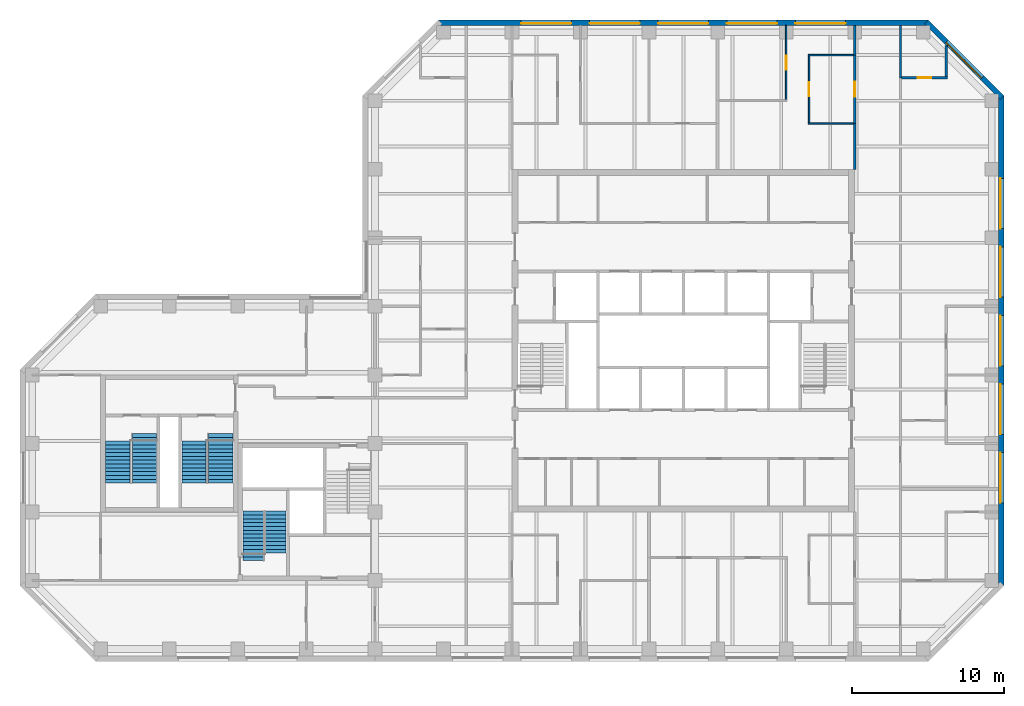
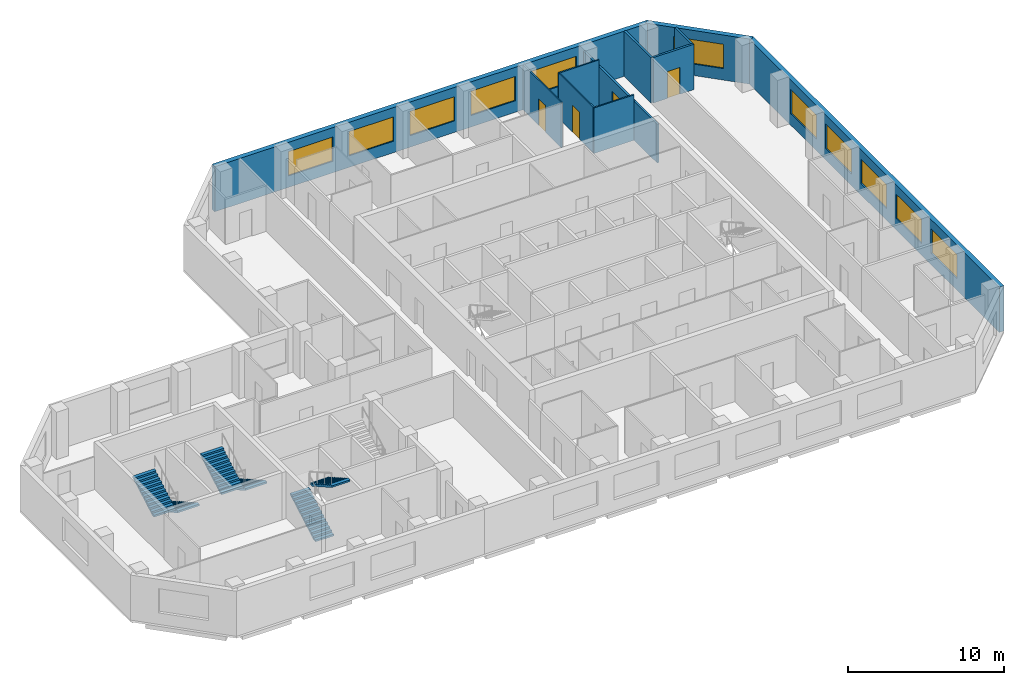
# One storey, part 8 of 10: 13 walls, 11 windows, 6 stair flights, 4 doors, 15 openings, 3 elements without a shape of their own.
"""IFC4 building model written with IfcOpenShell, lengths in metres."""

from ifc_helpers import new_model, si_unit, direction, frame, frame_2d, origin, place, context, subcontext, project, spatial, polyline, rectangle, outline, extrude, material, layer, layer_set, constituent, constituent_set, type_object, element, fill, aggregate, save


model = new_model("IFC4")

# Units and contexts
model_context = context("Model", 3, precision=1e-05, world=origin(), true_north=direction((0.0, 1.0)))
body_context = subcontext(model_context, "Body", "Model", "MODEL_VIEW")
ifc_project = project(units=[si_unit("LENGTHUNIT", "METRE"), si_unit("AREAUNIT", "SQUARE_METRE"), si_unit("VOLUMEUNIT", "CUBIC_METRE"), si_unit("PLANEANGLEUNIT", "RADIAN"), si_unit("MASSUNIT", "GRAM", prefix="KILO")], contexts=[model_context])

# Site, building, storey
site_placement = place(None, origin())
site = spatial("IfcSite", under=ifc_project, at=site_placement, CompositionType="ELEMENT")
building_placement = place(site_placement, origin())
building = spatial("IfcBuilding", under=site, at=building_placement, Name="Quoin Convention Tower", CompositionType="ELEMENT")
storey_placement = place(building_placement, frame((0.0, 0.0, 192.10009765625)))
storey = spatial("IfcBuildingStorey", under=building, at=storey_placement, Name="L50", CompositionType="ELEMENT", Elevation=192.10009765625)

# Wall, openings, windows
ifc_material_1 = material(Name="Brick masonry", Category="masonry")
ifc_layer_1 = layer(ifc_material_1, 0.35009765625)
ifc_layer_set_1 = layer_set([ifc_layer_1], Name="Brick masonry")
wall_type_1 = type_object("IfcWallType", Name="Brick facade wall", PredefinedType="STANDARD", material=ifc_layer_set_1)
wall_1_placement = place(storey_placement, frame((77.125, 44.668701171875, 0.0), z_axis=(0.0, 0.0, 1.0), x_axis=(0.0, 1.0, 0.0)))
wall_1 = element("IfcWall", 1, at=wall_1_placement, inside=storey, type_object=wall_type_1, Name="fw-L50-76500_45000", PredefinedType="STANDARD", context=body_context, shape_type="SweptSolid", body=[
    extrude(rectangle(XDim=32.16259765625, YDim=0.35009765625, at=frame_2d((16.081298828125, 0.0))), origin(), (0.0, 0.0, 1.0), 3.52490234375),
])
opening_1_placement = place(wall_1_placement, frame((5.431396484375, 0.0, 0.89990234375)))
opening_1 = element("IfcOpeningElement", 2, at=opening_1_placement, cuts=wall_1, Name="Opening W-02", PredefinedType="OPENING", context=body_context, shape_type="SweptSolid", body=[
    extrude(rectangle(XDim=3.300048828125, YDim=1.89990234375, at=frame_2d((1.64990234375, 0.949951171875))), frame((0.0, 0.18505859375, 0.0), z_axis=(0.0, -1.0, 0.0), x_axis=(1.0, 0.0, 0.0)), (0.0, 0.0, 1.0), 0.3701171875),
])
opening_2_placement = place(wall_1_placement, frame((9.931396484375, 0.0, 0.89990234375)))
opening_2 = element("IfcOpeningElement", 3, at=opening_2_placement, cuts=wall_1, Name="Opening W-02", PredefinedType="OPENING", context=body_context, shape_type="SweptSolid", body=[
    extrude(rectangle(XDim=3.300048828125, YDim=1.89990234375, at=frame_2d((1.64990234375, 0.949951171875))), frame((0.0, 0.18505859375, 0.0), z_axis=(0.0, -1.0, 0.0), x_axis=(1.0, 0.0, 0.0)), (0.0, 0.0, 1.0), 0.3701171875),
])
opening_3_placement = place(wall_1_placement, frame((14.431396484375, 0.0, 0.89990234375)))
opening_3 = element("IfcOpeningElement", 4, at=opening_3_placement, cuts=wall_1, Name="Opening W-02", PredefinedType="OPENING", context=body_context, shape_type="SweptSolid", body=[
    extrude(rectangle(XDim=3.300048828125, YDim=1.89990234375, at=frame_2d((1.64990234375, 0.949951171875))), frame((0.0, 0.18505859375, 0.0), z_axis=(0.0, -1.0, 0.0), x_axis=(1.0, 0.0, 0.0)), (0.0, 0.0, 1.0), 0.3701171875),
])
opening_4_placement = place(wall_1_placement, frame((18.931396484375, 0.0, 0.89990234375)))
opening_4 = element("IfcOpeningElement", 5, at=opening_4_placement, cuts=wall_1, Name="Opening W-02", PredefinedType="OPENING", context=body_context, shape_type="SweptSolid", body=[
    extrude(rectangle(XDim=3.300048828125, YDim=1.89990234375, at=frame_2d((1.64990234375, 0.949951171875))), frame((0.0, 0.18505859375, 0.0), z_axis=(0.0, -1.0, 0.0), x_axis=(1.0, 0.0, 0.0)), (0.0, 0.0, 1.0), 0.3701171875),
])
opening_5_placement = place(wall_1_placement, frame((23.431396484375, 0.0, 0.89990234375)))
opening_5 = element("IfcOpeningElement", 6, at=opening_5_placement, cuts=wall_1, Name="Opening W-02", PredefinedType="OPENING", context=body_context, shape_type="SweptSolid", body=[
    extrude(rectangle(XDim=3.300048828125, YDim=1.89990234375, at=frame_2d((1.64990234375, 0.949951171875))), frame((0.0, 0.18505859375, 0.0), z_axis=(0.0, -1.0, 0.0), x_axis=(1.0, 0.0, 0.0)), (0.0, 0.0, 1.0), 0.3701171875),
])
ifc_material_2 = material(Name="Aluminium", Category="aluminium")
ifc_constituent_1 = constituent(ifc_material_2, Name="Frame")
ifc_material_3 = material(Name="Insulated glass", Category="glass")
ifc_constituent_2 = constituent(ifc_material_3, Name="Glazing")
ifc_constituent_set = constituent_set(constituents=[ifc_constituent_1, ifc_constituent_2], Name="Aluminium")
window_type = type_object("IfcWindowType", Name="Office window", PartitioningType="DOUBLE_PANEL_VERTICAL", PredefinedType="WINDOW", material=ifc_constituent_set)
window_1_placement = place(opening_1_placement, origin())
window_1 = element("IfcWindow", 7, at=window_1_placement, inside=storey, type_object=window_type, Name="win-L50-77125_51750", OverallHeight=1.89990234375, OverallWidth=3.300048828125, PartitioningType="SINGLE_PANEL", PredefinedType="WINDOW", context=body_context, shape_type="SweptSolid", body=[
    extrude(rectangle(XDim=3.300048828125, YDim=1.89990234375, at=frame_2d((1.64990234375, 0.949951171875))), frame((0.0, 0.0849609375, 0.0), z_axis=(0.0, -1.0, 0.0), x_axis=(1.0, 0.0, 0.0)), (0.0, 0.0, 1.0), 0.06005859375),
])
fill(opening_1, window_1)
window_2_placement = place(opening_2_placement, origin())
window_2 = element("IfcWindow", 8, at=window_2_placement, inside=storey, type_object=window_type, Name="win-L50-77125_56250", OverallHeight=1.89990234375, OverallWidth=3.300048828125, PartitioningType="SINGLE_PANEL", PredefinedType="WINDOW", context=body_context, shape_type="SweptSolid", body=[
    extrude(rectangle(XDim=3.300048828125, YDim=1.89990234375, at=frame_2d((1.64990234375, 0.949951171875))), frame((0.0, 0.0849609375, 0.0), z_axis=(0.0, -1.0, 0.0), x_axis=(1.0, 0.0, 0.0)), (0.0, 0.0, 1.0), 0.06005859375),
])
fill(opening_2, window_2)
window_3_placement = place(opening_3_placement, origin())
window_3 = element("IfcWindow", 9, at=window_3_placement, inside=storey, type_object=window_type, Name="win-L50-77125_60750", OverallHeight=1.89990234375, OverallWidth=3.300048828125, PartitioningType="SINGLE_PANEL", PredefinedType="WINDOW", context=body_context, shape_type="SweptSolid", body=[
    extrude(rectangle(XDim=3.300048828125, YDim=1.89990234375, at=frame_2d((1.64990234375, 0.949951171875))), frame((0.0, 0.0849609375, 0.0), z_axis=(0.0, -1.0, 0.0), x_axis=(1.0, 0.0, 0.0)), (0.0, 0.0, 1.0), 0.06005859375),
])
fill(opening_3, window_3)
window_4_placement = place(opening_4_placement, origin())
window_4 = element("IfcWindow", 10, at=window_4_placement, inside=storey, type_object=window_type, Name="win-L50-77125_65250", OverallHeight=1.89990234375, OverallWidth=3.300048828125, PartitioningType="SINGLE_PANEL", PredefinedType="WINDOW", context=body_context, shape_type="SweptSolid", body=[
    extrude(rectangle(XDim=3.300048828125, YDim=1.89990234375, at=frame_2d((1.64990234375, 0.949951171875))), frame((0.0, 0.0849609375, 0.0), z_axis=(0.0, -1.0, 0.0), x_axis=(1.0, 0.0, 0.0)), (0.0, 0.0, 1.0), 0.06005859375),
])
fill(opening_4, window_4)
window_5_placement = place(opening_5_placement, origin())
window_5 = element("IfcWindow", 11, at=window_5_placement, inside=storey, type_object=window_type, Name="win-L50-77125_69750", OverallHeight=1.89990234375, OverallWidth=3.300048828125, PartitioningType="SINGLE_PANEL", PredefinedType="WINDOW", context=body_context, shape_type="SweptSolid", body=[
    extrude(rectangle(XDim=3.300048828125, YDim=1.89990234375, at=frame_2d((1.64990234375, 0.949951171875))), frame((0.0, 0.0849609375, 0.0), z_axis=(0.0, -1.0, 0.0), x_axis=(1.0, 0.0, 0.0)), (0.0, 0.0, 1.0), 0.06005859375),
])
fill(opening_5, window_5)

# Wall, opening, window
wall_2_placement = place(storey_placement, frame((77.17626953125, 76.70751953125, 0.0), z_axis=(0.0, 0.0, 1.0), x_axis=(-0.707106781187, 0.707106781187, 0.0)))
wall_2 = element("IfcWall", 12, at=wall_2_placement, inside=storey, type_object=wall_type_1, Name="fw-L50-76500_76500", PredefinedType="STANDARD", context=body_context, shape_type="SweptSolid", body=[
    extrude(rectangle(XDim=7.02685546875, YDim=0.35009765625, at=frame_2d((3.513427734375, 0.0))), origin(), (0.0, 0.0, 1.0), 3.52490234375),
])
opening_6_placement = place(wall_2_placement, frame((1.86328125, 0.0, 0.89990234375)))
opening_6 = element("IfcOpeningElement", 13, at=opening_6_placement, cuts=wall_2, Name="Opening W-02", PredefinedType="OPENING", context=body_context, shape_type="SweptSolid", body=[
    extrude(rectangle(XDim=3.300048828125, YDim=1.89990234375, at=frame_2d((1.64990234375, 0.949951171875))), frame((0.0, 0.18505859375, 0.0), z_axis=(0.0, -1.0, 0.0), x_axis=(1.0, 0.0, 0.0)), (0.0, 0.0, 1.0), 0.3701171875),
])
window_6_placement = place(opening_6_placement, origin())
window_6 = element("IfcWindow", 14, at=window_6_placement, inside=storey, type_object=window_type, Name="win-L50-74692_79192", OverallHeight=1.89990234375, OverallWidth=3.300048828125, PartitioningType="SINGLE_PANEL", PredefinedType="WINDOW", context=body_context, shape_type="SweptSolid", body=[
    extrude(rectangle(XDim=3.300048828125, YDim=1.89990234375, at=frame_2d((1.64990234375, 0.949951171875))), frame((0.0, 0.0849609375, 0.0), z_axis=(0.0, -1.0, 0.0), x_axis=(1.0, 0.0, 0.0)), (0.0, 0.0, 1.0), 0.06005859375),
])
fill(opening_6, window_6)

# Wall, openings, windows
wall_3_placement = place(storey_placement, frame((72.331298828125, 81.625, 0.0), z_axis=(0.0, 0.0, 1.0), x_axis=(-1.0, 0.0, 0.0)))
wall_3 = element("IfcWall", 15, at=wall_3_placement, inside=storey, type_object=wall_type_1, Name="fw-L50-72000_81000", PredefinedType="STANDARD", context=body_context, shape_type="SweptSolid", body=[
    extrude(rectangle(XDim=32.16259765625, YDim=0.35009765625, at=frame_2d((16.081298828125, 0.0))), origin(), (0.0, 0.0, 1.0), 3.52490234375),
])
opening_7_placement = place(wall_3_placement, frame((5.431396484375, 0.0, 0.89990234375)))
opening_7 = element("IfcOpeningElement", 16, at=opening_7_placement, cuts=wall_3, Name="Opening W-02", PredefinedType="OPENING", context=body_context, shape_type="SweptSolid", body=[
    extrude(rectangle(XDim=3.300048828125, YDim=1.89990234375, at=frame_2d((1.64990234375, 0.949951171875))), frame((0.0, 0.18505859375, 0.0), z_axis=(0.0, -1.0, 0.0), x_axis=(1.0, 0.0, 0.0)), (0.0, 0.0, 1.0), 0.3701171875),
])
opening_8_placement = place(wall_3_placement, frame((9.931396484375, 0.0, 0.89990234375)))
opening_8 = element("IfcOpeningElement", 17, at=opening_8_placement, cuts=wall_3, Name="Opening W-02", PredefinedType="OPENING", context=body_context, shape_type="SweptSolid", body=[
    extrude(rectangle(XDim=3.300048828125, YDim=1.89990234375, at=frame_2d((1.64990234375, 0.949951171875))), frame((0.0, 0.18505859375, 0.0), z_axis=(0.0, -1.0, 0.0), x_axis=(1.0, 0.0, 0.0)), (0.0, 0.0, 1.0), 0.3701171875),
])
opening_9_placement = place(wall_3_placement, frame((14.431396484375, 0.0, 0.89990234375)))
opening_9 = element("IfcOpeningElement", 18, at=opening_9_placement, cuts=wall_3, Name="Opening W-02", PredefinedType="OPENING", context=body_context, shape_type="SweptSolid", body=[
    extrude(rectangle(XDim=3.300048828125, YDim=1.89990234375, at=frame_2d((1.64990234375, 0.949951171875))), frame((0.0, 0.18505859375, 0.0), z_axis=(0.0, -1.0, 0.0), x_axis=(1.0, 0.0, 0.0)), (0.0, 0.0, 1.0), 0.3701171875),
])
opening_10_placement = place(wall_3_placement, frame((18.931396484375, 0.0, 0.89990234375)))
opening_10 = element("IfcOpeningElement", 19, at=opening_10_placement, cuts=wall_3, Name="Opening W-02", PredefinedType="OPENING", context=body_context, shape_type="SweptSolid", body=[
    extrude(rectangle(XDim=3.300048828125, YDim=1.89990234375, at=frame_2d((1.64990234375, 0.949951171875))), frame((0.0, 0.18505859375, 0.0), z_axis=(0.0, -1.0, 0.0), x_axis=(1.0, 0.0, 0.0)), (0.0, 0.0, 1.0), 0.3701171875),
])
opening_11_placement = place(wall_3_placement, frame((23.431396484375, 0.0, 0.89990234375)))
opening_11 = element("IfcOpeningElement", 20, at=opening_11_placement, cuts=wall_3, Name="Opening W-02", PredefinedType="OPENING", context=body_context, shape_type="SweptSolid", body=[
    extrude(rectangle(XDim=3.300048828125, YDim=1.89990234375, at=frame_2d((1.64990234375, 0.949951171875))), frame((0.0, 0.18505859375, 0.0), z_axis=(0.0, -1.0, 0.0), x_axis=(1.0, 0.0, 0.0)), (0.0, 0.0, 1.0), 0.3701171875),
])
window_7_placement = place(opening_7_placement, origin())
window_7 = element("IfcWindow", 21, at=window_7_placement, inside=storey, type_object=window_type, Name="win-L50-65250_81625", OverallHeight=1.89990234375, OverallWidth=3.300048828125, PartitioningType="SINGLE_PANEL", PredefinedType="WINDOW", context=body_context, shape_type="SweptSolid", body=[
    extrude(rectangle(XDim=3.300048828125, YDim=1.89990234375, at=frame_2d((1.64990234375, 0.949951171875))), frame((0.0, 0.0849609375, 0.0), z_axis=(0.0, -1.0, 0.0), x_axis=(1.0, 0.0, 0.0)), (0.0, 0.0, 1.0), 0.06005859375),
])
fill(opening_7, window_7)
window_8_placement = place(opening_8_placement, origin())
window_8 = element("IfcWindow", 22, at=window_8_placement, inside=storey, type_object=window_type, Name="win-L50-60750_81625", OverallHeight=1.89990234375, OverallWidth=3.300048828125, PartitioningType="SINGLE_PANEL", PredefinedType="WINDOW", context=body_context, shape_type="SweptSolid", body=[
    extrude(rectangle(XDim=3.300048828125, YDim=1.89990234375, at=frame_2d((1.64990234375, 0.949951171875))), frame((0.0, 0.0849609375, 0.0), z_axis=(0.0, -1.0, 0.0), x_axis=(1.0, 0.0, 0.0)), (0.0, 0.0, 1.0), 0.06005859375),
])
fill(opening_8, window_8)
window_9_placement = place(opening_9_placement, origin())
window_9 = element("IfcWindow", 23, at=window_9_placement, inside=storey, type_object=window_type, Name="win-L50-56250_81625", OverallHeight=1.89990234375, OverallWidth=3.300048828125, PartitioningType="SINGLE_PANEL", PredefinedType="WINDOW", context=body_context, shape_type="SweptSolid", body=[
    extrude(rectangle(XDim=3.300048828125, YDim=1.89990234375, at=frame_2d((1.64990234375, 0.949951171875))), frame((0.0, 0.0849609375, 0.0), z_axis=(0.0, -1.0, 0.0), x_axis=(1.0, 0.0, 0.0)), (0.0, 0.0, 1.0), 0.06005859375),
])
fill(opening_9, window_9)
window_10_placement = place(opening_10_placement, origin())
window_10 = element("IfcWindow", 24, at=window_10_placement, inside=storey, type_object=window_type, Name="win-L50-51750_81625", OverallHeight=1.89990234375, OverallWidth=3.300048828125, PartitioningType="SINGLE_PANEL", PredefinedType="WINDOW", context=body_context, shape_type="SweptSolid", body=[
    extrude(rectangle(XDim=3.300048828125, YDim=1.89990234375, at=frame_2d((1.64990234375, 0.949951171875))), frame((0.0, 0.0849609375, 0.0), z_axis=(0.0, -1.0, 0.0), x_axis=(1.0, 0.0, 0.0)), (0.0, 0.0, 1.0), 0.06005859375),
])
fill(opening_10, window_10)
window_11_placement = place(opening_11_placement, origin())
window_11 = element("IfcWindow", 25, at=window_11_placement, inside=storey, type_object=window_type, Name="win-L50-47250_81625", OverallHeight=1.89990234375, OverallWidth=3.300048828125, PartitioningType="SINGLE_PANEL", PredefinedType="WINDOW", context=body_context, shape_type="SweptSolid", body=[
    extrude(rectangle(XDim=3.300048828125, YDim=1.89990234375, at=frame_2d((1.64990234375, 0.949951171875))), frame((0.0, 0.0849609375, 0.0), z_axis=(0.0, -1.0, 0.0), x_axis=(1.0, 0.0, 0.0)), (0.0, 0.0, 1.0), 0.06005859375),
])
fill(opening_11, window_11)

# Walls
ifc_material_4 = material(Name="Plasterboard")
ifc_layer_2 = layer(ifc_material_4, 0.012451171875, Name="Finish")
ifc_material_5 = material(Name="Steel stud framing", Category="steel")
ifc_layer_3 = layer(ifc_material_5, 0.125, Name="Structure")
ifc_layer_4 = layer(ifc_material_4, 0.012451171875, Name="Finish")
ifc_layer_set_2 = layer_set([ifc_layer_2, ifc_layer_3, ifc_layer_4], Name="Steel stud framing")
wall_type_2 = type_object("IfcWallType", Name="Corridor wall 150", PredefinedType="PARTITIONING", material=ifc_layer_set_2)
wall_4_placement = place(storey_placement, frame((70.5, 78.0, 0.0), z_axis=(0.0, 0.0, 1.0), x_axis=(0.0, 1.0, 0.0)))
element("IfcWall", 26, at=wall_4_placement, inside=storey, type_object=wall_type_2, Name="pw-L50-090", PredefinedType="PARTITIONING", context=body_context, shape_type="SweptSolid", body=[
    extrude(rectangle(XDim=3.449951171875, YDim=0.14990234375, at=frame_2d((1.72509765625, 0.0))), origin(), (0.0, 0.0, 1.0), 3.5498046875),
])
ifc_layer_5 = layer(ifc_material_4, 0.012451171875, Name="Finish")
ifc_layer_6 = layer(ifc_material_5, 0.125, Name="Structure")
ifc_layer_7 = layer(ifc_material_4, 0.012451171875, Name="Finish")
ifc_layer_set_3 = layer_set([ifc_layer_5, ifc_layer_6, ifc_layer_7], Name="Steel stud framing")
wall_type_3 = type_object("IfcWallType", Name="Corridor wall 150 under beam 528", PredefinedType="PARTITIONING", material=ifc_layer_set_3)
wall_5_placement = place(storey_placement, frame((67.5, 72.0, 0.0), z_axis=(0.0, 0.0, 1.0), x_axis=(0.0, 1.0, 0.0)))
element("IfcWall", 27, at=wall_5_placement, inside=storey, type_object=wall_type_3, Name="pw-L50-079", PredefinedType="PARTITIONING", context=body_context, shape_type="SweptSolid", body=[
    extrude(rectangle(XDim=3.0, YDim=0.14990234375, at=frame_2d((1.5, 0.0))), origin(), (0.0, 0.0, 1.0), 3.02197265625),
])

# Wall, opening, door
wall_6_placement = place(storey_placement, frame((67.5, 75.0, 0.0), z_axis=(0.0, 0.0, 1.0), x_axis=(0.0, 1.0, 0.0)))
wall_6 = element("IfcWall", 28, at=wall_6_placement, inside=storey, type_object=wall_type_3, Name="pw-L50-082", PredefinedType="PARTITIONING", context=body_context, shape_type="SweptSolid", body=[
    extrude(rectangle(XDim=4.5, YDim=0.14990234375, at=frame_2d((2.25, 0.0))), origin(), (0.0, 0.0, 1.0), 3.02197265625),
])
opening_12_placement = place(wall_6_placement, frame((1.75, 0.0, 0.0)))
opening_12 = element("IfcOpeningElement", 29, at=opening_12_placement, cuts=wall_6, Name="Opening DOH7-25", PredefinedType="OPENING", context=body_context, shape_type="SweptSolid", body=[
    extrude(rectangle(XDim=1.0, YDim=2.10009765625, at=frame_2d((0.5, 1.050048828125))), frame((0.0, 0.0849609375, 0.0), z_axis=(0.0, -1.0, 0.0), x_axis=(1.0, 0.0, 0.0)), (0.0, 0.0, 1.0), 0.169921875),
])
ifc_material_6 = material(Name="Steel door leaf", Category="steel")
door_type_1 = type_object("IfcDoorType", Name="Tenancy entrance door 1000 x 2100", OperationType="DOUBLE_DOOR_SINGLE_SWING", PredefinedType="DOOR", material=ifc_material_6)
door_1_placement = place(opening_12_placement, origin())
door_1 = element("IfcDoor", 30, at=door_1_placement, inside=storey, type_object=door_type_1, Name="dr-L50-23", OperationType="DOUBLE_DOOR_SINGLE_SWING", OverallHeight=2.10009765625, OverallWidth=1.0, PredefinedType="DOOR", context=body_context, shape_type="SweptSolid", body=[
    extrude(rectangle(XDim=1.0, YDim=2.10009765625, at=frame_2d((0.5, 1.050048828125))), frame((0.0, 0.02490234375, 0.0), z_axis=(0.0, -1.0, 0.0), x_axis=(1.0, 0.0, 0.0)), (0.0, 0.0, 1.0), 0.050048828125),
])
fill(opening_12, door_1)

# Walls
wall_7_placement = place(storey_placement, frame((67.5, 79.5, 0.0), z_axis=(0.0, 0.0, 1.0), x_axis=(0.0, 1.0, 0.0)))
element("IfcWall", 31, at=wall_7_placement, inside=storey, type_object=wall_type_3, Name="pw-L50-094", PredefinedType="PARTITIONING", context=body_context, shape_type="SweptSolid", body=[
    extrude(rectangle(XDim=1.949951171875, YDim=0.14990234375, at=frame_2d((0.97509765625, 0.0))), origin(), (0.0, 0.0, 1.0), 3.02197265625),
])
ifc_layer_8 = layer(ifc_material_4, 0.012451171875, Name="Finish")
ifc_layer_9 = layer(ifc_material_5, 0.074951171875, Name="Structure")
ifc_layer_10 = layer(ifc_material_4, 0.012451171875, Name="Finish")
ifc_layer_set_4 = layer_set([ifc_layer_8, ifc_layer_9, ifc_layer_10], Name="Steel stud framing")
wall_type_4 = type_object("IfcWallType", Name="Stud partition 100", PredefinedType="PARTITIONING", material=ifc_layer_set_4)
for number, where, z_axis, x_axis, name in (
    (32, (64.449951171875, 75.0, 0.0), (0.0, 0.0, 1.0), (1.0, 0.0, 0.0), "pw-L50-032"),
    (33, (64.449951171875, 79.5, 0.0), (0.0, 0.0, 1.0), (1.0, 0.0, 0.0), "pw-L50-037"),
):
    element("IfcWall", number, at=place(storey_placement, frame(where, z_axis=z_axis, x_axis=x_axis)), inside=storey, type_object=wall_type_4, Name=name, PredefinedType="PARTITIONING", context=body_context, shape_type="SweptSolid", body=[
        extrude(rectangle(XDim=2.97509765625, YDim=0.10009765625, at=frame_2d((1.487548828125, 0.0))), origin(), (0.0, 0.0, 1.0), 3.5498046875),
    ])

# Wall, opening, door
wall_8_placement = place(storey_placement, frame((64.5, 75.050048828125, 0.0), z_axis=(0.0, 0.0, 1.0), x_axis=(0.0, 1.0, 0.0)))
wall_8 = element("IfcWall", 34, at=wall_8_placement, inside=storey, type_object=wall_type_4, Name="pw-L50-085", PredefinedType="PARTITIONING", context=body_context, shape_type="SweptSolid", body=[
    extrude(rectangle(XDim=4.39990234375, YDim=0.10009765625, at=frame_2d((2.199951171875, 0.0))), origin(), (0.0, 0.0, 1.0), 3.5498046875),
])
opening_13_placement = place(wall_8_placement, frame((1.75, 0.0, 0.0)))
opening_13 = element("IfcOpeningElement", 35, at=opening_13_placement, cuts=wall_8, Name="Opening DOH7-28", PredefinedType="OPENING", context=body_context, shape_type="SweptSolid", body=[
    extrude(rectangle(XDim=0.89990234375, YDim=2.10009765625, at=frame_2d((0.449951171875, 1.050048828125))), frame((0.0, 0.06005859375, 0.0), z_axis=(0.0, -1.0, 0.0), x_axis=(1.0, 0.0, 0.0)), (0.0, 0.0, 1.0), 0.1201171875),
])
door_type_2 = type_object("IfcDoorType", Name="Office door 900 x 2100", OperationType="SINGLE_SWING_RIGHT", PredefinedType="DOOR", material=ifc_material_6)
door_2_placement = place(opening_13_placement, origin())
door_2 = element("IfcDoor", 36, at=door_2_placement, inside=storey, type_object=door_type_2, Name="dr-L50-24", OperationType="SINGLE_SWING_RIGHT", OverallHeight=2.10009765625, OverallWidth=0.89990234375, PredefinedType="DOOR", context=body_context, shape_type="SweptSolid", body=[
    extrude(rectangle(XDim=0.89990234375, YDim=2.10009765625, at=frame_2d((0.449951171875, 1.050048828125))), frame((0.0, 0.02490234375, 0.0), z_axis=(0.0, -1.0, 0.0), x_axis=(1.0, 0.0, 0.0)), (0.0, 0.0, 1.0), 0.050048828125),
])
fill(opening_13, door_2)

wall_9_placement = place(storey_placement, frame((63.0, 76.550048828125, 0.0), z_axis=(0.0, 0.0, 1.0), x_axis=(0.0, 1.0, 0.0)))
wall_9 = element("IfcWall", 37, at=wall_9_placement, inside=storey, type_object=wall_type_4, Name="pw-L50-088", PredefinedType="PARTITIONING", context=body_context, shape_type="SweptSolid", body=[
    extrude(rectangle(XDim=4.89990234375, YDim=0.10009765625, at=frame_2d((2.449951171875, 0.0))), origin(), (0.0, 0.0, 1.0), 3.5498046875),
])
opening_14_placement = place(wall_9_placement, frame((2.0, 0.0, 0.0)))
opening_14 = element("IfcOpeningElement", 38, at=opening_14_placement, cuts=wall_9, Name="Opening DOH7-29", PredefinedType="OPENING", context=body_context, shape_type="SweptSolid", body=[
    extrude(rectangle(XDim=0.89990234375, YDim=2.10009765625, at=frame_2d((0.449951171875, 1.050048828125))), frame((0.0, 0.06005859375, 0.0), z_axis=(0.0, -1.0, 0.0), x_axis=(1.0, 0.0, 0.0)), (0.0, 0.0, 1.0), 0.1201171875),
])
door_3_placement = place(opening_14_placement, frame((0.89990234375, 0.0, 0.0), z_axis=(0.0, 0.0, 1.0), x_axis=(-1.0, 0.0, 0.0)))
door_3 = element("IfcDoor", 39, at=door_3_placement, inside=storey, type_object=door_type_2, Name="dr-L50-25", OperationType="SINGLE_SWING_LEFT", OverallHeight=2.10009765625, OverallWidth=0.89990234375, PredefinedType="DOOR", context=body_context, shape_type="SweptSolid", body=[
    extrude(rectangle(XDim=0.89990234375, YDim=2.10009765625, at=frame_2d((0.449951171875, 1.050048828125))), frame((0.0, 0.02490234375, 0.0), z_axis=(0.0, -1.0, 0.0), x_axis=(1.0, 0.0, 0.0)), (0.0, 0.0, 1.0), 0.050048828125),
])
fill(opening_14, door_3)

ifc_layer_11 = layer(ifc_material_4, 0.012451171875, Name="Finish")
ifc_layer_12 = layer(ifc_material_5, 0.125, Name="Structure")
ifc_layer_13 = layer(ifc_material_4, 0.012451171875, Name="Finish")
ifc_layer_set_5 = layer_set([ifc_layer_11, ifc_layer_12, ifc_layer_13], Name="Steel stud framing")
wall_type_5 = type_object("IfcWallType", Name="Wet area partition 150", PredefinedType="PARTITIONING", material=ifc_layer_set_5)
wall_10_placement = place(storey_placement, frame((70.574951171875, 78.0, 0.0), z_axis=(0.0, 0.0, 1.0), x_axis=(1.0, 0.0, 0.0)))
wall_10 = element("IfcWall", 40, at=wall_10_placement, inside=storey, type_object=wall_type_5, Name="pw-L50-035", PredefinedType="PARTITIONING", context=body_context, shape_type="SweptSolid", body=[
    extrude(rectangle(XDim=3.0, YDim=0.14990234375, at=frame_2d((1.5, 0.0))), origin(), (0.0, 0.0, 1.0), 3.5498046875),
])
opening_15_placement = place(wall_10_placement, frame((1.050048828125, 0.0, 0.0)))
opening_15 = element("IfcOpeningElement", 41, at=opening_15_placement, cuts=wall_10, Name="Opening DOH7-11", PredefinedType="OPENING", context=body_context, shape_type="SweptSolid", body=[
    extrude(rectangle(XDim=0.89990234375, YDim=2.10009765625, at=frame_2d((0.449951171875, 1.050048828125))), frame((0.0, 0.0849609375, 0.0), z_axis=(0.0, -1.0, 0.0), x_axis=(1.0, 0.0, 0.0)), (0.0, 0.0, 1.0), 0.169921875),
])
door_4_placement = place(opening_15_placement, frame((0.89990234375, 0.0, 0.0), z_axis=(0.0, 0.0, 1.0), x_axis=(-1.0, 0.0, 0.0)))
door_4 = element("IfcDoor", 42, at=door_4_placement, inside=storey, type_object=door_type_2, Name="dr-L50-33", OperationType="SINGLE_SWING_LEFT", OverallHeight=2.10009765625, OverallWidth=0.89990234375, PredefinedType="DOOR", context=body_context, shape_type="SweptSolid", body=[
    extrude(rectangle(XDim=0.89990234375, YDim=2.10009765625, at=frame_2d((0.449951171875, 1.050048828125))), frame((0.0, 0.02490234375, 0.0), z_axis=(0.0, -1.0, 0.0), x_axis=(1.0, 0.0, 0.0)), (0.0, 0.0, 1.0), 0.050048828125),
])
fill(opening_15, door_4)

# Wall
wall_11_placement = place(storey_placement, frame((73.5, 78.074951171875, 0.0), z_axis=(0.0, 0.0, 1.0), x_axis=(0.0, 1.0, 0.0)))
element("IfcWall", 43, at=wall_11_placement, inside=storey, type_object=wall_type_5, Name="pw-L50-092", PredefinedType="PARTITIONING", context=body_context, shape_type="SweptSolid", body=[
    extrude(rectangle(XDim=2.0615234375, YDim=0.14990234375, at=frame_2d((1.03076171875, 0.0))), origin(), (0.0, 0.0, 1.0), 3.5498046875),
])

# Stair, stair flights
ifc_material_7 = material(Name="Concrete C40", Category="concrete")
stair_type_1 = type_object("IfcStairType", Name="Exit stair two-flight 1350", PredefinedType="HALF_TURN_STAIR", material=ifc_material_7)
stair_1_placement = place(storey_placement, origin())
stair_1 = element("IfcStair", 44, at=stair_1_placement, inside=storey, type_object=stair_type_1, Name="SD3 L50", PredefinedType="HALF_TURN_STAIR")
stair_flight_type_1 = type_object("IfcStairFlightType", Name="Stair flight 1350", PredefinedType="STRAIGHT", material=ifc_material_7)
stair_flight_1_placement = place(storey_placement, frame((28.0, 46.300048828125, 0.0), z_axis=(0.0, 0.0, 1.0), x_axis=(0.0, 1.0, 0.0)))
stair_flight_1 = element("IfcStairFlight", 45, at=stair_flight_1_placement, type_object=stair_flight_type_1, Name="ST3 flight 1", NumberOfRisers=14, NumberOfTreads=13, PredefinedType="STRAIGHT", RiserHeight=0.142307692, TreadLength=0.25, context=body_context, shape_type="SweptSolid", body=[
    extrude(outline(polyline([(0.0, 0.0), (0.0, 0.142333984375), (0.25, 0.142333984375), (0.25, 0.28466796875), (0.5, 0.28466796875), (0.5, 0.427001953125), (0.75, 0.427001953125), (0.75, 0.5693359375), (1.0, 0.5693359375), (1.0, 0.71142578125), (1.25, 0.71142578125), (1.25, 0.853759765625), (1.5, 0.853759765625), (1.5, 0.99609375), (1.75, 0.99609375), (1.75, 1.138427734375), (2.0, 1.138427734375), (2.0, 1.28076171875), (2.25, 1.28076171875), (2.25, 1.423095703125), (2.5, 1.423095703125), (2.5, 1.5654296875), (2.75, 1.5654296875), (2.75, 1.707763671875), (3.0, 1.707763671875), (3.0, 1.85009765625), (3.25, 1.85009765625), (3.25, 1.9921875), (3.25, 1.711669921875), (0.242919921875, 0.0), (0.0, 0.0)])), frame((0.0, 0.675048828125, 0.0), z_axis=(0.0, -1.0, 0.0), x_axis=(1.0, 0.0, 0.0)), (0.0, 0.0, 1.0), 1.35009765625),
])
stair_flight_2_placement = place(storey_placement, frame((29.5, 49.550048828125, 1.9921875), z_axis=(0.0, 0.0, 1.0), x_axis=(0.0, -1.0, 0.0)))
stair_flight_2 = element("IfcStairFlight", 46, at=stair_flight_2_placement, type_object=stair_flight_type_1, Name="ST3 flight 2", NumberOfRisers=12, NumberOfTreads=11, PredefinedType="STRAIGHT", RiserHeight=0.142307692, TreadLength=0.25, context=body_context, shape_type="SweptSolid", body=[
    extrude(outline(polyline([(0.0, 0.0), (0.0, 0.142333984375), (0.25, 0.142333984375), (0.25, 0.28466796875), (0.5, 0.28466796875), (0.5, 0.427001953125), (0.75, 0.427001953125), (0.75, 0.5693359375), (1.0, 0.5693359375), (1.0, 0.71142578125), (1.25, 0.71142578125), (1.25, 0.853759765625), (1.5, 0.853759765625), (1.5, 0.99609375), (1.75, 0.99609375), (1.75, 1.138427734375), (2.0, 1.138427734375), (2.0, 1.28076171875), (2.25, 1.28076171875), (2.25, 1.423095703125), (2.5, 1.423095703125), (2.5, 1.5654296875), (2.75, 1.5654296875), (2.75, 1.707763671875), (2.75, 1.42724609375), (0.242919921875, 0.0), (0.0, 0.0)])), frame((0.0, 0.675048828125, 0.0), z_axis=(0.0, -1.0, 0.0), x_axis=(1.0, 0.0, 0.0)), (0.0, 0.0, 1.0), 1.35009765625),
])
aggregate(stair_1, [stair_flight_1, stair_flight_2])

stair_type_2 = type_object("IfcStairType", Name="Exit stair two-flight 1600", PredefinedType="HALF_TURN_STAIR", material=ifc_material_7)
stair_2_placement = place(storey_placement, origin())
stair_2 = element("IfcStair", 47, at=stair_2_placement, inside=storey, type_object=stair_type_2, Name="SD11 L50", PredefinedType="HALF_TURN_STAIR")
stair_flight_type_2 = type_object("IfcStairFlightType", Name="Stair flight 1600", PredefinedType="STRAIGHT", material=ifc_material_7)
stair_flight_3_placement = place(storey_placement, frame((20.875, 54.64990234375, 0.0), z_axis=(0.0, 0.0, 1.0), x_axis=(0.0, -1.0, 0.0)))
stair_flight_3 = element("IfcStairFlight", 48, at=stair_flight_3_placement, type_object=stair_flight_type_2, Name="ST11 flight 1", NumberOfRisers=14, NumberOfTreads=13, PredefinedType="STRAIGHT", RiserHeight=0.142307692, TreadLength=0.25, context=body_context, shape_type="SweptSolid", body=[
    extrude(outline(polyline([(0.0, 0.0), (0.0, 0.142333984375), (0.25, 0.142333984375), (0.25, 0.28466796875), (0.5, 0.28466796875), (0.5, 0.427001953125), (0.75, 0.427001953125), (0.75, 0.5693359375), (1.0, 0.5693359375), (1.0, 0.71142578125), (1.25, 0.71142578125), (1.25, 0.853759765625), (1.5, 0.853759765625), (1.5, 0.99609375), (1.75, 0.99609375), (1.75, 1.138427734375), (2.0, 1.138427734375), (2.0, 1.28076171875), (2.25, 1.28076171875), (2.25, 1.423095703125), (2.5, 1.423095703125), (2.5, 1.5654296875), (2.75, 1.5654296875), (2.75, 1.707763671875), (3.0, 1.707763671875), (3.0, 1.85009765625), (3.25, 1.85009765625), (3.25, 1.9921875), (3.25, 1.711669921875), (0.242919921875, 0.0), (0.0, 0.0)])), frame((0.0, 0.800048828125, 0.0), z_axis=(0.0, -1.0, 0.0), x_axis=(1.0, 0.0, 0.0)), (0.0, 0.0, 1.0), 1.60009765625),
])
stair_flight_4_placement = place(storey_placement, frame((19.125, 51.39990234375, 1.9921875), z_axis=(0.0, 0.0, 1.0), x_axis=(0.0, 1.0, 0.0)))
stair_flight_4 = element("IfcStairFlight", 49, at=stair_flight_4_placement, type_object=stair_flight_type_2, Name="ST11 flight 2", NumberOfRisers=12, NumberOfTreads=11, PredefinedType="STRAIGHT", RiserHeight=0.142307692, TreadLength=0.25, context=body_context, shape_type="SweptSolid", body=[
    extrude(outline(polyline([(0.0, 0.0), (0.0, 0.142333984375), (0.25, 0.142333984375), (0.25, 0.28466796875), (0.5, 0.28466796875), (0.5, 0.427001953125), (0.75, 0.427001953125), (0.75, 0.5693359375), (1.0, 0.5693359375), (1.0, 0.71142578125), (1.25, 0.71142578125), (1.25, 0.853759765625), (1.5, 0.853759765625), (1.5, 0.99609375), (1.75, 0.99609375), (1.75, 1.138427734375), (2.0, 1.138427734375), (2.0, 1.28076171875), (2.25, 1.28076171875), (2.25, 1.423095703125), (2.5, 1.423095703125), (2.5, 1.5654296875), (2.75, 1.5654296875), (2.75, 1.707763671875), (2.75, 1.42724609375), (0.242919921875, 0.0), (0.0, 0.0)])), frame((0.0, 0.800048828125, 0.0), z_axis=(0.0, -1.0, 0.0), x_axis=(1.0, 0.0, 0.0)), (0.0, 0.0, 1.0), 1.60009765625),
])
aggregate(stair_2, [stair_flight_3, stair_flight_4])

stair_3_placement = place(storey_placement, origin())
stair_3 = element("IfcStair", 50, at=stair_3_placement, inside=storey, type_object=stair_type_2, Name="SD12 L50", PredefinedType="HALF_TURN_STAIR")
stair_flight_5_placement = place(storey_placement, frame((25.875, 54.64990234375, 0.0), z_axis=(0.0, 0.0, 1.0), x_axis=(0.0, -1.0, 0.0)))
stair_flight_5 = element("IfcStairFlight", 51, at=stair_flight_5_placement, type_object=stair_flight_type_2, Name="ST12 flight 1", NumberOfRisers=14, NumberOfTreads=13, PredefinedType="STRAIGHT", RiserHeight=0.142307692, TreadLength=0.25, context=body_context, shape_type="SweptSolid", body=[
    extrude(outline(polyline([(0.0, 0.0), (0.0, 0.142333984375), (0.25, 0.142333984375), (0.25, 0.28466796875), (0.5, 0.28466796875), (0.5, 0.427001953125), (0.75, 0.427001953125), (0.75, 0.5693359375), (1.0, 0.5693359375), (1.0, 0.71142578125), (1.25, 0.71142578125), (1.25, 0.853759765625), (1.5, 0.853759765625), (1.5, 0.99609375), (1.75, 0.99609375), (1.75, 1.138427734375), (2.0, 1.138427734375), (2.0, 1.28076171875), (2.25, 1.28076171875), (2.25, 1.423095703125), (2.5, 1.423095703125), (2.5, 1.5654296875), (2.75, 1.5654296875), (2.75, 1.707763671875), (3.0, 1.707763671875), (3.0, 1.85009765625), (3.25, 1.85009765625), (3.25, 1.9921875), (3.25, 1.711669921875), (0.242919921875, 0.0), (0.0, 0.0)])), frame((0.0, 0.800048828125, 0.0), z_axis=(0.0, -1.0, 0.0), x_axis=(1.0, 0.0, 0.0)), (0.0, 0.0, 1.0), 1.60009765625),
])
stair_flight_6_placement = place(storey_placement, frame((24.125, 51.39990234375, 1.9921875), z_axis=(0.0, 0.0, 1.0), x_axis=(0.0, 1.0, 0.0)))
stair_flight_6 = element("IfcStairFlight", 52, at=stair_flight_6_placement, type_object=stair_flight_type_2, Name="ST12 flight 2", NumberOfRisers=12, NumberOfTreads=11, PredefinedType="STRAIGHT", RiserHeight=0.142307692, TreadLength=0.25, context=body_context, shape_type="SweptSolid", body=[
    extrude(outline(polyline([(0.0, 0.0), (0.0, 0.142333984375), (0.25, 0.142333984375), (0.25, 0.28466796875), (0.5, 0.28466796875), (0.5, 0.427001953125), (0.75, 0.427001953125), (0.75, 0.5693359375), (1.0, 0.5693359375), (1.0, 0.71142578125), (1.25, 0.71142578125), (1.25, 0.853759765625), (1.5, 0.853759765625), (1.5, 0.99609375), (1.75, 0.99609375), (1.75, 1.138427734375), (2.0, 1.138427734375), (2.0, 1.28076171875), (2.25, 1.28076171875), (2.25, 1.423095703125), (2.5, 1.423095703125), (2.5, 1.5654296875), (2.75, 1.5654296875), (2.75, 1.707763671875), (2.75, 1.42724609375), (0.242919921875, 0.0), (0.0, 0.0)])), frame((0.0, 0.800048828125, 0.0), z_axis=(0.0, -1.0, 0.0), x_axis=(1.0, 0.0, 0.0)), (0.0, 0.0, 1.0), 1.60009765625),
])
aggregate(stair_3, [stair_flight_5, stair_flight_6])

save(model, "model.ifc")
